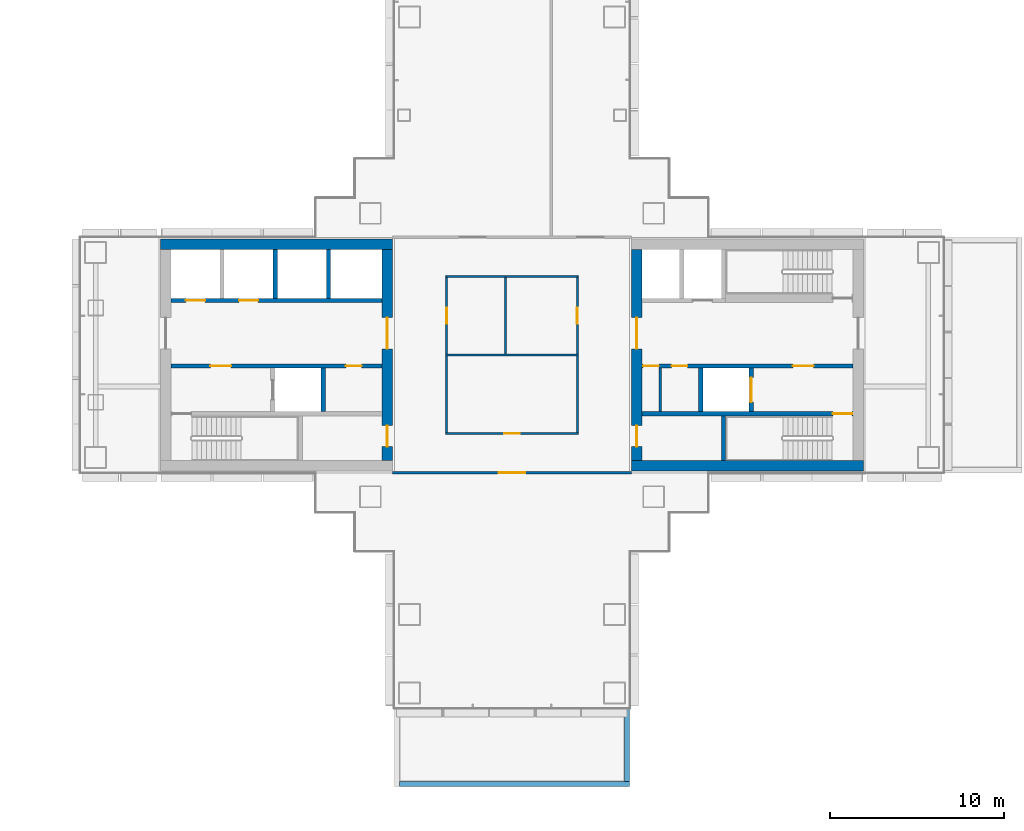
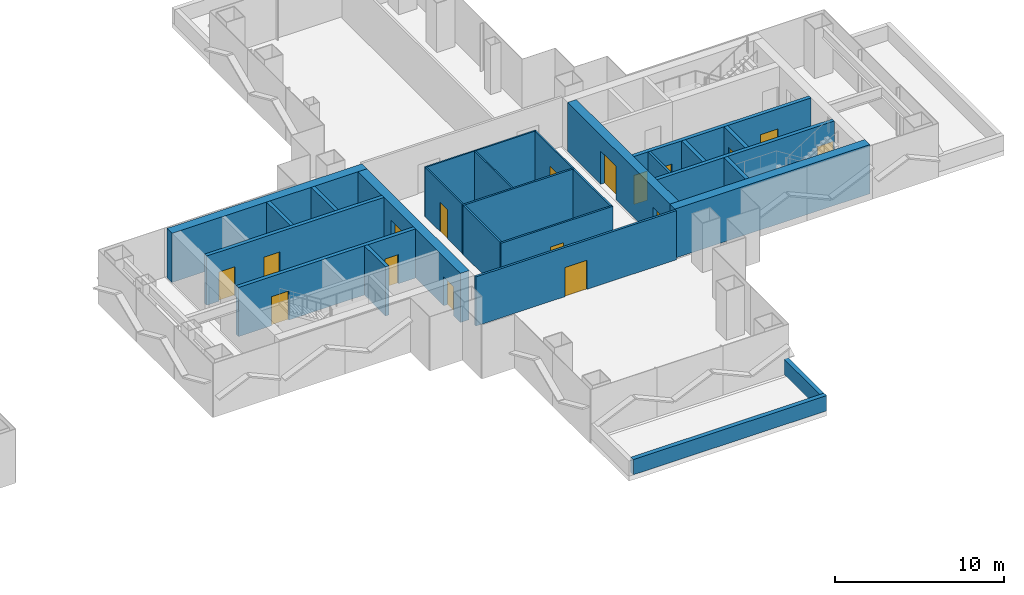
# One storey, part 14 of 20: 26 walls, 17 doors, 17 openings.
"""IFC4 building model written with IfcOpenShell, lengths in metres."""

from ifc_helpers import new_model, si_unit, direction, frame, frame_2d, origin, place, context, subcontext, project, spatial, rectangle, extrude, material, layer, layer_set, type_object, element, fill, save


model = new_model("IFC4")

# Units and contexts
model_context = context("Model", 3, precision=1e-05, world=origin(), true_north=direction((0.0, 1.0)))
body_context = subcontext(model_context, "Body", "Model", "MODEL_VIEW")
ifc_project = project(units=[si_unit("LENGTHUNIT", "METRE"), si_unit("AREAUNIT", "SQUARE_METRE"), si_unit("VOLUMEUNIT", "CUBIC_METRE"), si_unit("PLANEANGLEUNIT", "RADIAN"), si_unit("MASSUNIT", "GRAM", prefix="KILO")], contexts=[model_context])

# Site, building, storey
site_placement = place(None, origin())
site = spatial("IfcSite", under=ifc_project, at=site_placement, CompositionType="ELEMENT")
building_placement = place(site_placement, origin())
building = spatial("IfcBuilding", under=site, at=building_placement, Name="Shamsa Quay Exchange Towers", CompositionType="ELEMENT")
storey_placement = place(building_placement, frame((0.0, 0.0, 81.89990234375)))
storey = spatial("IfcBuildingStorey", under=building, at=storey_placement, Name="L18", CompositionType="ELEMENT", Elevation=81.89990234375)

# Wall
ifc_material_1 = material(Name="Concrete C70/85", Category="concrete")
ifc_layer_1 = layer(ifc_material_1, 0.60009765625)
ifc_layer_set_1 = layer_set([ifc_layer_1], Name="CORE WALL 600 C70/85")
wall_type_1 = type_object("IfcWallType", Name="CORE WALL 600 C70/85", PredefinedType="SHEAR", material=ifc_layer_set_1)
wall_1_placement = place(storey_placement, frame((13.60009765625, 6.35009765625, 0.0)))
element("IfcWall", 1, at=wall_1_placement, inside=storey, type_object=wall_type_1, Name="Core wall T2A-R08-PN", PredefinedType="SHEAR", context=body_context, shape_type="SweptSolid", body=[
    extrude(rectangle(XDim=13.2998046875, YDim=0.60009765625, at=frame_2d((6.64990234375, 0.0))), origin(), (0.0, 0.0, 1.0), 3.550048828125),
])

# Wall, openings, doors
wall_2_placement = place(storey_placement, frame((26.60009765625, 6.050048828125, 0.0), z_axis=(0.0, 0.0, 1.0), x_axis=(0.0, -1.0, 0.0)))
wall_2 = element("IfcWall", 2, at=wall_2_placement, inside=storey, type_object=wall_type_1, Name="Core wall T2A-R08-PB", PredefinedType="SHEAR", context=body_context, shape_type="SweptSolid", body=[
    extrude(rectangle(XDim=12.10009765625, YDim=0.60009765625, at=frame_2d((6.050048828125, 0.0))), origin(), (0.0, 0.0, 1.0), 3.550048828125),
])
opening_1_placement = place(wall_2_placement, frame((10.10009765625, 0.0, 0.0)))
opening_1 = element("IfcOpeningElement", 3, at=opening_1_placement, cuts=wall_2, Name="Opening T2A-R08-RD02", PredefinedType="OPENING", context=body_context, shape_type="SweptSolid", body=[
    extrude(rectangle(XDim=1.199951171875, YDim=2.10009765625, at=frame_2d((0.60009765625, 1.050048828125))), frame((0.0, 0.31005859375, 0.0), z_axis=(0.0, -1.0, 0.0), x_axis=(1.0, 0.0, 0.0)), (0.0, 0.0, 1.0), 0.6201171875),
])
opening_2_placement = place(wall_2_placement, frame((3.89990234375, 0.0, 0.0)))
opening_2 = element("IfcOpeningElement", 4, at=opening_2_placement, cuts=wall_2, Name="Opening T2A-R08-LBD03", PredefinedType="OPENING", context=body_context, shape_type="SweptSolid", body=[
    extrude(rectangle(XDim=1.800048828125, YDim=2.39990234375, at=frame_2d((0.89990234375, 1.199951171875))), frame((0.0, 0.31005859375, 0.0), z_axis=(0.0, -1.0, 0.0), x_axis=(1.0, 0.0, 0.0)), (0.0, 0.0, 1.0), 0.6201171875),
])
ifc_material_2 = material(Name="Steel, fire rated", Category="steel")
door_type_1 = type_object("IfcDoorType", Name="LIFT LOBBY DOOR PAIR 1800", OperationType="DOUBLE_DOOR_SINGLE_SWING", PredefinedType="DOOR", material=ifc_material_2)
door_1_placement = place(opening_2_placement, origin())
door_1 = element("IfcDoor", 5, at=door_1_placement, inside=storey, type_object=door_type_1, Name="T2A-R08-LBD03", OperationType="DOUBLE_DOOR_SINGLE_SWING", OverallHeight=2.39990234375, OverallWidth=1.800048828125, PredefinedType="DOOR", context=body_context, shape_type="SweptSolid", body=[
    extrude(rectangle(XDim=1.800048828125, YDim=2.39990234375, at=frame_2d((0.89990234375, 1.199951171875))), frame((0.0, 0.02490234375, 0.0), z_axis=(0.0, -1.0, 0.0), x_axis=(1.0, 0.0, 0.0)), (0.0, 0.0, 1.0), 0.050048828125),
])
fill(opening_2, door_1)
door_type_2 = type_object("IfcDoorType", Name="RISER ACCESS DOOR 1200", OperationType="SINGLE_SWING_LEFT", PredefinedType="DOOR", material=ifc_material_2)
door_2_placement = place(opening_1_placement, origin())
door_2 = element("IfcDoor", 6, at=door_2_placement, inside=storey, type_object=door_type_2, Name="T2A-R08-RD02", OperationType="SINGLE_SWING_RIGHT", OverallHeight=2.10009765625, OverallWidth=1.199951171875, PredefinedType="DOOR", context=body_context, shape_type="SweptSolid", body=[
    extrude(rectangle(XDim=1.199951171875, YDim=2.10009765625, at=frame_2d((0.60009765625, 1.050048828125))), frame((0.0, 0.02490234375, 0.0), z_axis=(0.0, -1.0, 0.0), x_axis=(1.0, 0.0, 0.0)), (0.0, 0.0, 1.0), 0.050048828125),
])
fill(opening_1, door_2)

# Wall
wall_3_placement = place(storey_placement, frame((53.89990234375, -6.35009765625, 0.0), z_axis=(0.0, 0.0, 1.0), x_axis=(-1.0, 0.0, 0.0)))
element("IfcWall", 7, at=wall_3_placement, inside=storey, type_object=wall_type_1, Name="Core wall T2B-R08-PS", PredefinedType="SHEAR", context=body_context, shape_type="SweptSolid", body=[
    extrude(rectangle(XDim=13.2998046875, YDim=0.60009765625, at=frame_2d((6.64990234375, 0.0))), origin(), (0.0, 0.0, 1.0), 3.550048828125),
])

# Wall, openings, doors
wall_4_placement = place(storey_placement, frame((40.89990234375, -6.050048828125, 0.0), z_axis=(0.0, 0.0, 1.0), x_axis=(0.0, 1.0, 0.0)))
wall_4 = element("IfcWall", 8, at=wall_4_placement, inside=storey, type_object=wall_type_1, Name="Core wall T2B-R08-PB", PredefinedType="SHEAR", context=body_context, shape_type="SweptSolid", body=[
    extrude(rectangle(XDim=12.10009765625, YDim=0.60009765625, at=frame_2d((6.050048828125, 0.0))), origin(), (0.0, 0.0, 1.0), 3.550048828125),
])
opening_3_placement = place(wall_4_placement, frame((0.800048828125, 0.0, 0.0)))
opening_3 = element("IfcOpeningElement", 9, at=opening_3_placement, cuts=wall_4, Name="Opening T2B-R08-RD02", PredefinedType="OPENING", context=body_context, shape_type="SweptSolid", body=[
    extrude(rectangle(XDim=1.199951171875, YDim=2.10009765625, at=frame_2d((0.60009765625, 1.050048828125))), frame((0.0, 0.31005859375, 0.0), z_axis=(0.0, -1.0, 0.0), x_axis=(1.0, 0.0, 0.0)), (0.0, 0.0, 1.0), 0.6201171875),
])
opening_4_placement = place(wall_4_placement, frame((6.39990234375, 0.0, 0.0)))
opening_4 = element("IfcOpeningElement", 10, at=opening_4_placement, cuts=wall_4, Name="Opening T2B-R08-LBD03", PredefinedType="OPENING", context=body_context, shape_type="SweptSolid", body=[
    extrude(rectangle(XDim=1.800048828125, YDim=2.39990234375, at=frame_2d((0.89990234375, 1.199951171875))), frame((0.0, 0.31005859375, 0.0), z_axis=(0.0, -1.0, 0.0), x_axis=(1.0, 0.0, 0.0)), (0.0, 0.0, 1.0), 0.6201171875),
])
door_3_placement = place(opening_4_placement, origin())
door_3 = element("IfcDoor", 11, at=door_3_placement, inside=storey, type_object=door_type_1, Name="T2B-R08-LBD03", OperationType="DOUBLE_DOOR_SINGLE_SWING", OverallHeight=2.39990234375, OverallWidth=1.800048828125, PredefinedType="DOOR", context=body_context, shape_type="SweptSolid", body=[
    extrude(rectangle(XDim=1.800048828125, YDim=2.39990234375, at=frame_2d((0.89990234375, 1.199951171875))), frame((0.0, 0.02490234375, 0.0), z_axis=(0.0, -1.0, 0.0), x_axis=(1.0, 0.0, 0.0)), (0.0, 0.0, 1.0), 0.050048828125),
])
fill(opening_4, door_3)
door_4_placement = place(opening_3_placement, origin())
door_4 = element("IfcDoor", 12, at=door_4_placement, inside=storey, type_object=door_type_2, Name="T2B-R08-RD02", OperationType="SINGLE_SWING_LEFT", OverallHeight=2.10009765625, OverallWidth=1.199951171875, PredefinedType="DOOR", context=body_context, shape_type="SweptSolid", body=[
    extrude(rectangle(XDim=1.199951171875, YDim=2.10009765625, at=frame_2d((0.60009765625, 1.050048828125))), frame((0.0, 0.02490234375, 0.0), z_axis=(0.0, -1.0, 0.0), x_axis=(1.0, 0.0, 0.0)), (0.0, 0.0, 1.0), 0.050048828125),
])
fill(opening_3, door_4)

# Walls
ifc_material_3 = material(Name="Gypsum board on steel studs, EI 60", Category="steel")
ifc_layer_2 = layer(ifc_material_3, 0.14990234375)
ifc_layer_set_2 = layer_set([ifc_layer_2], Name="FIRE PARTITION 150")
wall_type_2 = type_object("IfcWallType", Name="FIRE PARTITION 150", PredefinedType="PARTITIONING", material=ifc_layer_set_2)
wall_5_placement = place(storey_placement, frame((42.25, -3.25, 0.0), z_axis=(0.0, 0.0, 1.0), x_axis=(0.0, 1.0, 0.0)))
element("IfcWall", 13, at=wall_5_placement, inside=storey, type_object=wall_type_2, Name="Partition T2B-R08-EC0", PredefinedType="PARTITIONING", context=body_context, shape_type="SweptSolid", body=[
    extrude(rectangle(XDim=2.5, YDim=0.14990234375, at=frame_2d((1.25, 0.0))), origin(), (0.0, 0.0, 1.0), 3.550048828125),
])
ifc_material_4 = material(Name="Laminated fire-resisting glass in a metal frame", Category="glass")
ifc_layer_3 = layer(ifc_material_4, 0.125)
ifc_layer_set_3 = layer_set([ifc_layer_3], Name="Glazed partition 125 mm EI 60")
wall_type_3 = type_object("IfcWallType", Name="Glazed partition 125 mm EI 60", PredefinedType="PARTITIONING", material=ifc_layer_set_3)
wall_6_placement = place(storey_placement, frame((37.5, -4.4375, 0.0), z_axis=(0.0, 0.0, 1.0), x_axis=(0.0, 1.0, 0.0)))
element("IfcWall", 14, at=wall_6_placement, inside=storey, type_object=wall_type_3, Name="Partition T2-R08-W01", PredefinedType="PARTITIONING", context=body_context, shape_type="SweptSolid", body=[
    extrude(rectangle(XDim=4.375, YDim=0.125, at=frame_2d((2.1875, 0.0))), origin(), (0.0, 0.0, 1.0), 3.550048828125),
])

# Wall, opening, door
wall_7_placement = place(storey_placement, frame((29.9375, -4.5, 0.0)))
wall_7 = element("IfcWall", 15, at=wall_7_placement, inside=storey, type_object=wall_type_3, Name="Partition T2-R08-W02", PredefinedType="PARTITIONING", context=body_context, shape_type="SweptSolid", body=[
    extrude(rectangle(XDim=7.625, YDim=0.125, at=frame_2d((3.8125, 0.0))), origin(), (0.0, 0.0, 1.0), 3.550048828125),
])
opening_5_placement = place(wall_7_placement, frame((3.362548828125, 0.0, 0.0)))
opening_5 = element("IfcOpeningElement", 16, at=opening_5_placement, cuts=wall_7, Name="Opening T2-R08-D03", PredefinedType="OPENING", context=body_context, shape_type="SweptSolid", body=[
    extrude(rectangle(XDim=0.89990234375, YDim=2.10009765625, at=frame_2d((0.449951171875, 1.050048828125))), frame((0.0, 0.072509765625, 0.0), z_axis=(0.0, -1.0, 0.0), x_axis=(1.0, 0.0, 0.0)), (0.0, 0.0, 1.0), 0.14501953125),
])
ifc_material_5 = material(Name="Timber door leaf in a metal frame", Category="wood")
door_type_3 = type_object("IfcDoorType", Name="Door 900x2100 FD30S", OperationType="NOTDEFINED", PredefinedType="DOOR", material=ifc_material_5)
door_5_placement = place(opening_5_placement, origin())
door_5 = element("IfcDoor", 17, at=door_5_placement, inside=storey, type_object=door_type_3, Name="Door T2-R08-D03", OperationType="SINGLE_SWING_RIGHT", OverallHeight=2.10009765625, OverallWidth=0.89990234375, PredefinedType="DOOR", context=body_context, shape_type="SweptSolid", body=[
    extrude(rectangle(XDim=0.89990234375, YDim=2.10009765625, at=frame_2d((0.449951171875, 1.050048828125))), frame((0.0, 0.02490234375, 0.0), z_axis=(0.0, -1.0, 0.0), x_axis=(1.0, 0.0, 0.0)), (0.0, 0.0, 1.0), 0.050048828125),
])
fill(opening_5, door_5)

# Walls
wall_8_placement = place(storey_placement, frame((30.0, -0.0625, 0.0), z_axis=(0.0, 0.0, 1.0), x_axis=(0.0, -1.0, 0.0)))
element("IfcWall", 18, at=wall_8_placement, inside=storey, type_object=wall_type_3, Name="Partition T2-R08-W03", PredefinedType="PARTITIONING", context=body_context, shape_type="SweptSolid", body=[
    extrude(rectangle(XDim=4.375, YDim=0.125, at=frame_2d((2.1875, 0.0))), origin(), (0.0, 0.0, 1.0), 3.550048828125),
])
wall_9_placement = place(storey_placement, frame((37.5625, 0.0, 0.0), z_axis=(0.0, 0.0, 1.0), x_axis=(-1.0, 0.0, 0.0)))
element("IfcWall", 19, at=wall_9_placement, inside=storey, type_object=wall_type_3, Name="Partition T2-R08-W09", PredefinedType="PARTITIONING", context=body_context, shape_type="SweptSolid", body=[
    extrude(rectangle(XDim=7.625, YDim=0.125, at=frame_2d((3.8125, 0.0))), origin(), (0.0, 0.0, 1.0), 3.550048828125),
])

# Wall, opening, door
ifc_material_6 = material(Name="Gypsum board partition on metal studs")
ifc_layer_4 = layer(ifc_material_6, 0.10009765625)
ifc_layer_set_4 = layer_set([ifc_layer_4], Name="Partition 100 mm NOT RATED")
wall_type_4 = type_object("IfcWallType", Name="Partition 100 mm NOT RATED", PredefinedType="PARTITIONING", material=ifc_layer_set_4)
wall_10_placement = place(storey_placement, frame((37.5, 0.0625, 0.0), z_axis=(0.0, 0.0, 1.0), x_axis=(0.0, 1.0, 0.0)))
wall_10 = element("IfcWall", 20, at=wall_10_placement, inside=storey, type_object=wall_type_4, Name="Partition T2-R08-W04", PredefinedType="PARTITIONING", context=body_context, shape_type="SweptSolid", body=[
    extrude(rectangle(XDim=4.387451171875, YDim=0.10009765625, at=frame_2d((2.19384765625, 0.0))), origin(), (0.0, 0.0, 1.0), 3.550048828125),
])
opening_6_placement = place(wall_10_placement, frame((1.737548828125, 0.0, 0.0)))
opening_6 = element("IfcOpeningElement", 21, at=opening_6_placement, cuts=wall_10, Name="Opening T2-R08-D04", PredefinedType="OPENING", context=body_context, shape_type="SweptSolid", body=[
    extrude(rectangle(XDim=0.89990234375, YDim=2.10009765625, at=frame_2d((0.449951171875, 1.050048828125))), frame((0.0, 0.06005859375, 0.0), z_axis=(0.0, -1.0, 0.0), x_axis=(1.0, 0.0, 0.0)), (0.0, 0.0, 1.0), 0.1201171875),
])
door_type_4 = type_object("IfcDoorType", Name="Door 900x2100 NOT RATED", OperationType="NOTDEFINED", PredefinedType="DOOR", material=ifc_material_5)
door_6_placement = place(opening_6_placement, origin())
door_6 = element("IfcDoor", 22, at=door_6_placement, inside=storey, type_object=door_type_4, Name="Door T2-R08-D04", OperationType="SINGLE_SWING_LEFT", OverallHeight=2.10009765625, OverallWidth=0.89990234375, PredefinedType="DOOR", context=body_context, shape_type="SweptSolid", body=[
    extrude(rectangle(XDim=0.89990234375, YDim=2.10009765625, at=frame_2d((0.449951171875, 1.050048828125))), frame((0.0, 0.02490234375, 0.0), z_axis=(0.0, -1.0, 0.0), x_axis=(1.0, 0.0, 0.0)), (0.0, 0.0, 1.0), 0.050048828125),
])
fill(opening_6, door_6)

# Wall
wall_11_placement = place(storey_placement, frame((37.550048828125, 4.5, 0.0), z_axis=(0.0, 0.0, 1.0), x_axis=(-1.0, 0.0, 0.0)))
element("IfcWall", 23, at=wall_11_placement, inside=storey, type_object=wall_type_4, Name="Partition T2-R08-W05", PredefinedType="PARTITIONING", context=body_context, shape_type="SweptSolid", body=[
    extrude(rectangle(XDim=7.60009765625, YDim=0.10009765625, at=frame_2d((3.800048828125, 0.0))), origin(), (0.0, 0.0, 1.0), 3.550048828125),
])

# Wall, opening, door
wall_12_placement = place(storey_placement, frame((30.0, 4.449951171875, 0.0), z_axis=(0.0, 0.0, 1.0), x_axis=(0.0, -1.0, 0.0)))
wall_12 = element("IfcWall", 24, at=wall_12_placement, inside=storey, type_object=wall_type_4, Name="Partition T2-R08-W06", PredefinedType="PARTITIONING", context=body_context, shape_type="SweptSolid", body=[
    extrude(rectangle(XDim=4.387451171875, YDim=0.10009765625, at=frame_2d((2.19384765625, 0.0))), origin(), (0.0, 0.0, 1.0), 3.550048828125),
])
opening_7_placement = place(wall_12_placement, frame((1.75, 0.0, 0.0)))
opening_7 = element("IfcOpeningElement", 25, at=opening_7_placement, cuts=wall_12, Name="Opening T2-R08-D05", PredefinedType="OPENING", context=body_context, shape_type="SweptSolid", body=[
    extrude(rectangle(XDim=0.89990234375, YDim=2.10009765625, at=frame_2d((0.449951171875, 1.050048828125))), frame((0.0, 0.06005859375, 0.0), z_axis=(0.0, -1.0, 0.0), x_axis=(1.0, 0.0, 0.0)), (0.0, 0.0, 1.0), 0.1201171875),
])
door_7_placement = place(opening_7_placement, origin())
door_7 = element("IfcDoor", 26, at=door_7_placement, inside=storey, type_object=door_type_4, Name="Door T2-R08-D05", OperationType="SINGLE_SWING_LEFT", OverallHeight=2.10009765625, OverallWidth=0.89990234375, PredefinedType="DOOR", context=body_context, shape_type="SweptSolid", body=[
    extrude(rectangle(XDim=0.89990234375, YDim=2.10009765625, at=frame_2d((0.449951171875, 1.050048828125))), frame((0.0, 0.02490234375, 0.0), z_axis=(0.0, -1.0, 0.0), x_axis=(1.0, 0.0, 0.0)), (0.0, 0.0, 1.0), 0.050048828125),
])
fill(opening_7, door_7)

# Wall
wall_13_placement = place(storey_placement, frame((33.375, 4.449951171875, 0.0), z_axis=(0.0, 0.0, 1.0), x_axis=(0.0, -1.0, 0.0)))
element("IfcWall", 27, at=wall_13_placement, inside=storey, type_object=wall_type_4, Name="Partition T2-R08-W10", PredefinedType="PARTITIONING", context=body_context, shape_type="SweptSolid", body=[
    extrude(rectangle(XDim=4.387451171875, YDim=0.10009765625, at=frame_2d((2.19384765625, 0.0))), origin(), (0.0, 0.0, 1.0), 3.550048828125),
])

# Wall, opening, door
ifc_layer_5 = layer(ifc_material_6, 0.14990234375)
ifc_layer_set_5 = layer_set([ifc_layer_5], Name="Partition 150 mm EI 60")
wall_type_5 = type_object("IfcWallType", Name="Partition 150 mm EI 60", PredefinedType="PARTITIONING", material=ifc_layer_set_5)
wall_14_placement = place(storey_placement, frame((40.60009765625, -6.75, 0.0), z_axis=(0.0, 0.0, 1.0), x_axis=(-1.0, 0.0, 0.0)))
wall_14 = element("IfcWall", 28, at=wall_14_placement, inside=storey, type_object=wall_type_5, Name="Partition T2-R08-W08", PredefinedType="PARTITIONING", context=body_context, shape_type="SweptSolid", body=[
    extrude(rectangle(XDim=13.7001953125, YDim=0.14990234375, at=frame_2d((6.85009765625, 0.0))), origin(), (0.0, 0.0, 1.0), 3.550048828125),
])
opening_8_placement = place(wall_14_placement, frame((6.10009765625, 0.0, 0.0)))
opening_8 = element("IfcOpeningElement", 29, at=opening_8_placement, cuts=wall_14, Name="Opening T2-R08-D06", PredefinedType="OPENING", context=body_context, shape_type="SweptSolid", body=[
    extrude(rectangle(XDim=1.5, YDim=2.10009765625, at=frame_2d((0.75, 1.050048828125))), frame((0.0, 0.0849609375, 0.0), z_axis=(0.0, -1.0, 0.0), x_axis=(1.0, 0.0, 0.0)), (0.0, 0.0, 1.0), 0.169921875),
])
door_type_5 = type_object("IfcDoorType", Name="Door 1500x2100 FD30S pair", OperationType="NOTDEFINED", PredefinedType="DOOR", material=ifc_material_5)
door_8_placement = place(opening_8_placement, origin())
door_8 = element("IfcDoor", 30, at=door_8_placement, inside=storey, type_object=door_type_5, Name="Door T2-R08-D06", OperationType="DOUBLE_DOOR_SINGLE_SWING", OverallHeight=2.10009765625, OverallWidth=1.5, PredefinedType="DOOR", context=body_context, shape_type="SweptSolid", body=[
    extrude(rectangle(XDim=1.5, YDim=2.10009765625, at=frame_2d((0.75, 1.050048828125))), frame((0.0, 0.02490234375, 0.0), z_axis=(0.0, -1.0, 0.0), x_axis=(1.0, 0.0, 0.0)), (0.0, 0.0, 1.0), 0.050048828125),
])
fill(opening_8, door_8)

# Walls
ifc_material_7 = material(Name="Reinforced concrete C30/37", Category="concrete")
ifc_layer_6 = layer(ifc_material_7, 0.300048828125)
ifc_layer_set_6 = layer_set([ifc_layer_6], Name="ROOF PARAPET 300 C30/37")
wall_type_6 = type_object("IfcWallType", Name="ROOF PARAPET 300 C30/37", PredefinedType="PARAPET", material=ifc_layer_set_6)
wall_15_placement = place(storey_placement, frame((27.300048828125, -24.60009765625, 0.0)))
element("IfcWall", 31, at=wall_15_placement, inside=storey, type_object=wall_type_6, Name="Parapet L17 2", PredefinedType="PARAPET", context=body_context, shape_type="SweptSolid", body=[
    extrude(rectangle(XDim=13.199951171875, YDim=0.300048828125, at=frame_2d((6.60009765625, 0.0))), origin(), (0.0, 0.0, 1.0), 1.10009765625),
])
wall_16_placement = place(storey_placement, frame((40.35009765625, -24.449951171875, 0.0), z_axis=(0.0, 0.0, 1.0), x_axis=(0.0, 1.0, 0.0)))
element("IfcWall", 32, at=wall_16_placement, inside=storey, type_object=wall_type_6, Name="Parapet L17 3", PredefinedType="PARAPET", context=body_context, shape_type="SweptSolid", body=[
    extrude(rectangle(XDim=4.199951171875, YDim=0.300048828125, at=frame_2d((2.10009765625, 0.0))), origin(), (0.0, 0.0, 1.0), 1.10009765625),
])

# Wall, openings, doors
ifc_material_8 = material(Name="Concrete C50/60", Category="concrete")
ifc_layer_7 = layer(ifc_material_8, 0.25)
ifc_layer_set_7 = layer_set([ifc_layer_7], Name="SHAFT WALL 250 C50/60")
wall_type_7 = type_object("IfcWallType", Name="SHAFT WALL 250 C50/60", PredefinedType="SHEAR", material=ifc_layer_set_7)
wall_17_placement = place(storey_placement, frame((26.300048828125, -0.625, 0.0), z_axis=(0.0, 0.0, 1.0), x_axis=(-1.0, 0.0, 0.0)))
wall_17 = element("IfcWall", 33, at=wall_17_placement, inside=storey, type_object=wall_type_7, Name="Shaft wall T2A-R08-B", PredefinedType="SHEAR", context=body_context, shape_type="SweptSolid", body=[
    extrude(rectangle(XDim=12.10009765625, YDim=0.25, at=frame_2d((6.050048828125, 0.0))), origin(), (0.0, 0.0, 1.0), 3.550048828125),
])
opening_9_placement = place(wall_17_placement, frame((8.64990234375, 0.0, 0.0)))
opening_9 = element("IfcOpeningElement", 34, at=opening_9_placement, cuts=wall_17, Name="Opening T2A-R08-FD05", PredefinedType="OPENING", context=body_context, shape_type="SweptSolid", body=[
    extrude(rectangle(XDim=1.199951171875, YDim=2.10009765625, at=frame_2d((0.60009765625, 1.050048828125))), frame((0.0, 0.135009765625, 0.0), z_axis=(0.0, -1.0, 0.0), x_axis=(1.0, 0.0, 0.0)), (0.0, 0.0, 1.0), 0.27001953125),
])
opening_10_placement = place(wall_17_placement, frame((1.175048828125, 0.0, 0.0)))
opening_10 = element("IfcOpeningElement", 35, at=opening_10_placement, cuts=wall_17, Name="Opening T2A-R08-SV06", PredefinedType="OPENING", context=body_context, shape_type="SweptSolid", body=[
    extrude(rectangle(XDim=0.89990234375, YDim=2.10009765625, at=frame_2d((0.449951171875, 1.050048828125))), frame((0.0, 0.135009765625, 0.0), z_axis=(0.0, -1.0, 0.0), x_axis=(1.0, 0.0, 0.0)), (0.0, 0.0, 1.0), 0.27001953125),
])
door_type_6 = type_object("IfcDoorType", Name="FIRE SERVICE LOBBY DOOR 1200", OperationType="SINGLE_SWING_LEFT", PredefinedType="DOOR", material=ifc_material_2)
door_9_placement = place(opening_9_placement, origin())
door_9 = element("IfcDoor", 36, at=door_9_placement, inside=storey, type_object=door_type_6, Name="T2A-R08-FD05", OperationType="SINGLE_SWING_RIGHT", OverallHeight=2.10009765625, OverallWidth=1.199951171875, PredefinedType="DOOR", context=body_context, shape_type="SweptSolid", body=[
    extrude(rectangle(XDim=1.199951171875, YDim=2.10009765625, at=frame_2d((0.60009765625, 1.050048828125))), frame((0.0, 0.02490234375, 0.0), z_axis=(0.0, -1.0, 0.0), x_axis=(1.0, 0.0, 0.0)), (0.0, 0.0, 1.0), 0.050048828125),
])
fill(opening_9, door_9)
door_type_7 = type_object("IfcDoorType", Name="SERVICE ROOM DOOR 900", OperationType="SINGLE_SWING_LEFT", PredefinedType="DOOR", material=ifc_material_2)
door_10_placement = place(opening_10_placement, origin())
door_10 = element("IfcDoor", 37, at=door_10_placement, inside=storey, type_object=door_type_7, Name="T2A-R08-SV06", OperationType="SINGLE_SWING_LEFT", OverallHeight=2.10009765625, OverallWidth=0.89990234375, PredefinedType="DOOR", context=body_context, shape_type="SweptSolid", body=[
    extrude(rectangle(XDim=0.89990234375, YDim=2.10009765625, at=frame_2d((0.449951171875, 1.050048828125))), frame((0.0, 0.02490234375, 0.0), z_axis=(0.0, -1.0, 0.0), x_axis=(1.0, 0.0, 0.0)), (0.0, 0.0, 1.0), 0.050048828125),
])
fill(opening_10, door_10)

# Wall
wall_18_placement = place(storey_placement, frame((22.925048828125, -3.25, 0.0), z_axis=(0.0, 0.0, 1.0), x_axis=(0.0, 1.0, 0.0)))
element("IfcWall", 38, at=wall_18_placement, inside=storey, type_object=wall_type_7, Name="Shaft wall T2A-R08-FFB", PredefinedType="SHEAR", context=body_context, shape_type="SweptSolid", body=[
    extrude(rectangle(XDim=2.5, YDim=0.25, at=frame_2d((1.25, 0.0))), origin(), (0.0, 0.0, 1.0), 3.550048828125),
])

# Wall, openings, doors
wall_19_placement = place(storey_placement, frame((14.199951171875, 3.125, 0.0)))
wall_19 = element("IfcWall", 39, at=wall_19_placement, inside=storey, type_object=wall_type_7, Name="Shaft wall T2A-R08-N", PredefinedType="SHEAR", context=body_context, shape_type="SweptSolid", body=[
    extrude(rectangle(XDim=12.10009765625, YDim=0.25, at=frame_2d((6.050048828125, 0.0))), origin(), (0.0, 0.0, 1.0), 3.550048828125),
])
opening_11_placement = place(wall_19_placement, frame((0.85009765625, 0.0, 0.0)))
opening_11 = element("IfcOpeningElement", 40, at=opening_11_placement, cuts=wall_19, Name="Opening T2A-R08-LD08", PredefinedType="OPENING", context=body_context, shape_type="SweptSolid", body=[
    extrude(rectangle(XDim=1.10009765625, YDim=2.10009765625, at=frame_2d((0.550048828125, 1.050048828125))), frame((0.0, 0.135009765625, 0.0), z_axis=(0.0, -1.0, 0.0), x_axis=(1.0, 0.0, 0.0)), (0.0, 0.0, 1.0), 0.27001953125),
])
opening_12_placement = place(wall_19_placement, frame((3.89990234375, 0.0, 0.0)))
opening_12 = element("IfcOpeningElement", 41, at=opening_12_placement, cuts=wall_19, Name="Opening T2A-R08-LD09", PredefinedType="OPENING", context=body_context, shape_type="SweptSolid", body=[
    extrude(rectangle(XDim=1.10009765625, YDim=2.10009765625, at=frame_2d((0.550048828125, 1.050048828125))), frame((0.0, 0.135009765625, 0.0), z_axis=(0.0, -1.0, 0.0), x_axis=(1.0, 0.0, 0.0)), (0.0, 0.0, 1.0), 0.27001953125),
])
door_type_8 = type_object("IfcDoorType", Name="LANDING DOOR 1100", OperationType="SLIDING_TO_LEFT", PredefinedType="DOOR", material=ifc_material_2)
door_11_placement = place(opening_11_placement, origin())
door_11 = element("IfcDoor", 42, at=door_11_placement, inside=storey, type_object=door_type_8, Name="T2A-R08-LD08", OperationType="SLIDING_TO_LEFT", OverallHeight=2.10009765625, OverallWidth=1.10009765625, PredefinedType="DOOR", context=body_context, shape_type="SweptSolid", body=[
    extrude(rectangle(XDim=1.10009765625, YDim=2.10009765625, at=frame_2d((0.550048828125, 1.050048828125))), frame((0.0, 0.02490234375, 0.0), z_axis=(0.0, -1.0, 0.0), x_axis=(1.0, 0.0, 0.0)), (0.0, 0.0, 1.0), 0.050048828125),
])
fill(opening_11, door_11)
door_12_placement = place(opening_12_placement, origin())
door_12 = element("IfcDoor", 43, at=door_12_placement, inside=storey, type_object=door_type_8, Name="T2A-R08-LD09", OperationType="SLIDING_TO_LEFT", OverallHeight=2.10009765625, OverallWidth=1.10009765625, PredefinedType="DOOR", context=body_context, shape_type="SweptSolid", body=[
    extrude(rectangle(XDim=1.10009765625, YDim=2.10009765625, at=frame_2d((0.550048828125, 1.050048828125))), frame((0.0, 0.02490234375, 0.0), z_axis=(0.0, -1.0, 0.0), x_axis=(1.0, 0.0, 0.0)), (0.0, 0.0, 1.0), 0.050048828125),
])
fill(opening_12, door_12)

# Walls
for number, where, z_axis, x_axis, name in (
    (44, (20.175048828125, 3.25, 0.0), (0.0, 0.0, 1.0), (0.0, 1.0, 0.0), "Shaft wall T2A-R08-D1"),
    (45, (23.22509765625, 3.25, 0.0), (0.0, 0.0, 1.0), (0.0, 1.0, 0.0), "Shaft wall T2A-R08-D2"),
):
    element("IfcWall", number, at=place(storey_placement, frame(where, z_axis=z_axis, x_axis=x_axis)), inside=storey, type_object=wall_type_7, Name=name, PredefinedType="SHEAR", context=body_context, shape_type="SweptSolid", body=[
        extrude(rectangle(XDim=2.800048828125, YDim=0.25, at=frame_2d((1.39990234375, 0.0))), origin(), (0.0, 0.0, 1.0), 3.550048828125),
    ])

# Wall, opening, door
wall_20_placement = place(storey_placement, frame((53.300048828125, -3.375, 0.0), z_axis=(0.0, 0.0, 1.0), x_axis=(-1.0, 0.0, 0.0)))
wall_20 = element("IfcWall", 46, at=wall_20_placement, inside=storey, type_object=wall_type_7, Name="Shaft wall T2B-R08-STL", PredefinedType="SHEAR", context=body_context, shape_type="SweptSolid", body=[
    extrude(rectangle(XDim=12.10009765625, YDim=0.25, at=frame_2d((6.050048828125, 0.0))), origin(), (0.0, 0.0, 1.0), 3.550048828125),
])
opening_13_placement = place(wall_20_placement, frame((0.050048828125, 0.0, 0.0)))
opening_13 = element("IfcOpeningElement", 47, at=opening_13_placement, cuts=wall_20, Name="Opening T2B-R08-SD04", PredefinedType="OPENING", context=body_context, shape_type="SweptSolid", body=[
    extrude(rectangle(XDim=1.10009765625, YDim=2.10009765625, at=frame_2d((0.550048828125, 1.050048828125))), frame((0.0, 0.135009765625, 0.0), z_axis=(0.0, -1.0, 0.0), x_axis=(1.0, 0.0, 0.0)), (0.0, 0.0, 1.0), 0.27001953125),
])
door_type_9 = type_object("IfcDoorType", Name="STAIR DOOR 1100", OperationType="SINGLE_SWING_LEFT", PredefinedType="DOOR", material=ifc_material_2)
door_13_placement = place(opening_13_placement, origin())
door_13 = element("IfcDoor", 48, at=door_13_placement, inside=storey, type_object=door_type_9, Name="T2B-R08-SD04", OperationType="SINGLE_SWING_LEFT", OverallHeight=2.10009765625, OverallWidth=1.10009765625, PredefinedType="DOOR", context=body_context, shape_type="SweptSolid", body=[
    extrude(rectangle(XDim=1.10009765625, YDim=2.10009765625, at=frame_2d((0.550048828125, 1.050048828125))), frame((0.0, 0.02490234375, 0.0), z_axis=(0.0, -1.0, 0.0), x_axis=(1.0, 0.0, 0.0)), (0.0, 0.0, 1.0), 0.050048828125),
])
fill(opening_13, door_13)

# Wall
wall_21_placement = place(storey_placement, frame((45.875, -6.050048828125, 0.0), z_axis=(0.0, 0.0, 1.0), x_axis=(0.0, 1.0, 0.0)))
element("IfcWall", 49, at=wall_21_placement, inside=storey, type_object=wall_type_7, Name="Shaft wall T2B-R08-STF", PredefinedType="SHEAR", context=body_context, shape_type="SweptSolid", body=[
    extrude(rectangle(XDim=2.550048828125, YDim=0.25, at=frame_2d((1.27490234375, 0.0))), origin(), (0.0, 0.0, 1.0), 3.550048828125),
])

# Wall, openings, doors
wall_22_placement = place(storey_placement, frame((53.300048828125, -0.625, 0.0), z_axis=(0.0, 0.0, 1.0), x_axis=(-1.0, 0.0, 0.0)))
wall_22 = element("IfcWall", 50, at=wall_22_placement, inside=storey, type_object=wall_type_7, Name="Shaft wall T2B-R08-B", PredefinedType="SHEAR", context=body_context, shape_type="SweptSolid", body=[
    extrude(rectangle(XDim=12.10009765625, YDim=0.25, at=frame_2d((6.050048828125, 0.0))), origin(), (0.0, 0.0, 1.0), 3.550048828125),
])
opening_14_placement = place(wall_22_placement, frame((2.25, 0.0, 0.0)))
opening_14 = element("IfcOpeningElement", 51, at=opening_14_placement, cuts=wall_22, Name="Opening T2B-R08-FD05", PredefinedType="OPENING", context=body_context, shape_type="SweptSolid", body=[
    extrude(rectangle(XDim=1.199951171875, YDim=2.10009765625, at=frame_2d((0.60009765625, 1.050048828125))), frame((0.0, 0.135009765625, 0.0), z_axis=(0.0, -1.0, 0.0), x_axis=(1.0, 0.0, 0.0)), (0.0, 0.0, 1.0), 0.27001953125),
])
opening_15_placement = place(wall_22_placement, frame((9.5, 0.0, 0.0)))
opening_15 = element("IfcOpeningElement", 52, at=opening_15_placement, cuts=wall_22, Name="Opening T2B-R08-SV06", PredefinedType="OPENING", context=body_context, shape_type="SweptSolid", body=[
    extrude(rectangle(XDim=0.89990234375, YDim=2.10009765625, at=frame_2d((0.449951171875, 1.050048828125))), frame((0.0, 0.135009765625, 0.0), z_axis=(0.0, -1.0, 0.0), x_axis=(1.0, 0.0, 0.0)), (0.0, 0.0, 1.0), 0.27001953125),
])
opening_16_placement = place(wall_22_placement, frame((11.125, 0.0, 0.0)))
opening_16 = element("IfcOpeningElement", 53, at=opening_16_placement, cuts=wall_22, Name="Opening T2B-R08-SV07", PredefinedType="OPENING", context=body_context, shape_type="SweptSolid", body=[
    extrude(rectangle(XDim=0.89990234375, YDim=2.10009765625, at=frame_2d((0.449951171875, 1.050048828125))), frame((0.0, 0.135009765625, 0.0), z_axis=(0.0, -1.0, 0.0), x_axis=(1.0, 0.0, 0.0)), (0.0, 0.0, 1.0), 0.27001953125),
])
door_14_placement = place(opening_14_placement, origin())
door_14 = element("IfcDoor", 54, at=door_14_placement, inside=storey, type_object=door_type_6, Name="T2B-R08-FD05", OperationType="SINGLE_SWING_LEFT", OverallHeight=2.10009765625, OverallWidth=1.199951171875, PredefinedType="DOOR", context=body_context, shape_type="SweptSolid", body=[
    extrude(rectangle(XDim=1.199951171875, YDim=2.10009765625, at=frame_2d((0.60009765625, 1.050048828125))), frame((0.0, 0.02490234375, 0.0), z_axis=(0.0, -1.0, 0.0), x_axis=(1.0, 0.0, 0.0)), (0.0, 0.0, 1.0), 0.050048828125),
])
fill(opening_14, door_14)
door_15_placement = place(opening_15_placement, origin())
door_15 = element("IfcDoor", 55, at=door_15_placement, inside=storey, type_object=door_type_7, Name="T2B-R08-SV06", OperationType="SINGLE_SWING_RIGHT", OverallHeight=2.10009765625, OverallWidth=0.89990234375, PredefinedType="DOOR", context=body_context, shape_type="SweptSolid", body=[
    extrude(rectangle(XDim=0.89990234375, YDim=2.10009765625, at=frame_2d((0.449951171875, 1.050048828125))), frame((0.0, 0.02490234375, 0.0), z_axis=(0.0, -1.0, 0.0), x_axis=(1.0, 0.0, 0.0)), (0.0, 0.0, 1.0), 0.050048828125),
])
fill(opening_15, door_15)
door_16_placement = place(opening_16_placement, origin())
door_16 = element("IfcDoor", 56, at=door_16_placement, inside=storey, type_object=door_type_7, Name="T2B-R08-SV07", OperationType="SINGLE_SWING_RIGHT", OverallHeight=2.10009765625, OverallWidth=0.89990234375, PredefinedType="DOOR", context=body_context, shape_type="SweptSolid", body=[
    extrude(rectangle(XDim=0.89990234375, YDim=2.10009765625, at=frame_2d((0.449951171875, 1.050048828125))), frame((0.0, 0.02490234375, 0.0), z_axis=(0.0, -1.0, 0.0), x_axis=(1.0, 0.0, 0.0)), (0.0, 0.0, 1.0), 0.050048828125),
])
fill(opening_16, door_16)

# Wall, opening, door
wall_23_placement = place(storey_placement, frame((47.47509765625, -3.25, 0.0), z_axis=(0.0, 0.0, 1.0), x_axis=(0.0, 1.0, 0.0)))
wall_23 = element("IfcWall", 57, at=wall_23_placement, inside=storey, type_object=wall_type_7, Name="Shaft wall T2B-R08-FFF", PredefinedType="SHEAR", context=body_context, shape_type="SweptSolid", body=[
    extrude(rectangle(XDim=2.5, YDim=0.25, at=frame_2d((1.25, 0.0))), origin(), (0.0, 0.0, 1.0), 3.550048828125),
])
opening_17_placement = place(wall_23_placement, frame((0.550048828125, 0.0, 0.0)))
opening_17 = element("IfcOpeningElement", 58, at=opening_17_placement, cuts=wall_23, Name="Opening T2B-R08-LDG08", PredefinedType="OPENING", context=body_context, shape_type="SweptSolid", body=[
    extrude(rectangle(XDim=1.39990234375, YDim=2.39990234375, at=frame_2d((0.699951171875, 1.199951171875))), frame((0.0, 0.135009765625, 0.0), z_axis=(0.0, -1.0, 0.0), x_axis=(1.0, 0.0, 0.0)), (0.0, 0.0, 1.0), 0.27001953125),
])
door_type_10 = type_object("IfcDoorType", Name="GOODS LIFT LANDING DOOR 1400", OperationType="SLIDING_TO_LEFT", PredefinedType="DOOR", material=ifc_material_2)
door_17_placement = place(opening_17_placement, origin())
door_17 = element("IfcDoor", 59, at=door_17_placement, inside=storey, type_object=door_type_10, Name="T2B-R08-LDG08", OperationType="SLIDING_TO_LEFT", OverallHeight=2.39990234375, OverallWidth=1.39990234375, PredefinedType="DOOR", context=body_context, shape_type="SweptSolid", body=[
    extrude(rectangle(XDim=1.39990234375, YDim=2.39990234375, at=frame_2d((0.699951171875, 1.199951171875))), frame((0.0, 0.02490234375, 0.0), z_axis=(0.0, -1.0, 0.0), x_axis=(1.0, 0.0, 0.0)), (0.0, 0.0, 1.0), 0.050048828125),
])
fill(opening_17, door_17)

# Wall
wall_24_placement = place(storey_placement, frame((44.574951171875, -3.25, 0.0), z_axis=(0.0, 0.0, 1.0), x_axis=(0.0, 1.0, 0.0)))
element("IfcWall", 60, at=wall_24_placement, inside=storey, type_object=wall_type_7, Name="Shaft wall T2B-R08-FFB", PredefinedType="SHEAR", context=body_context, shape_type="SweptSolid", body=[
    extrude(rectangle(XDim=2.5, YDim=0.25, at=frame_2d((1.25, 0.0))), origin(), (0.0, 0.0, 1.0), 3.550048828125),
])

save(model, "model.ifc")
